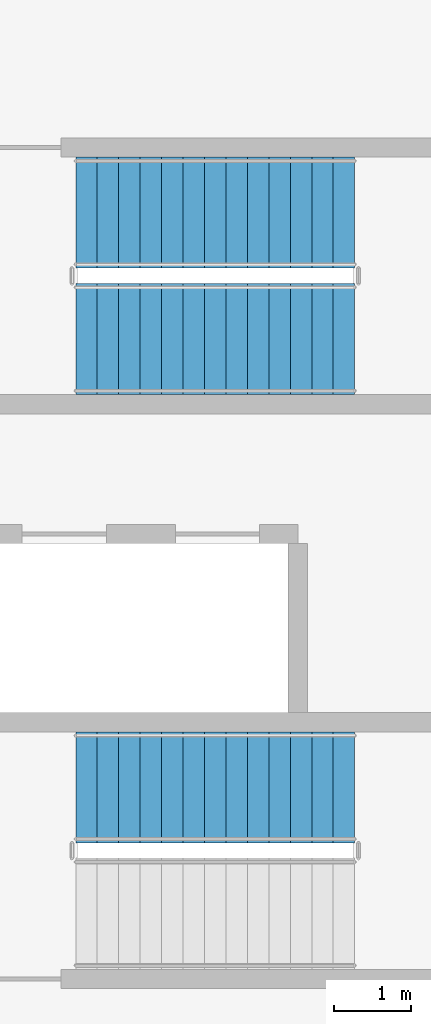
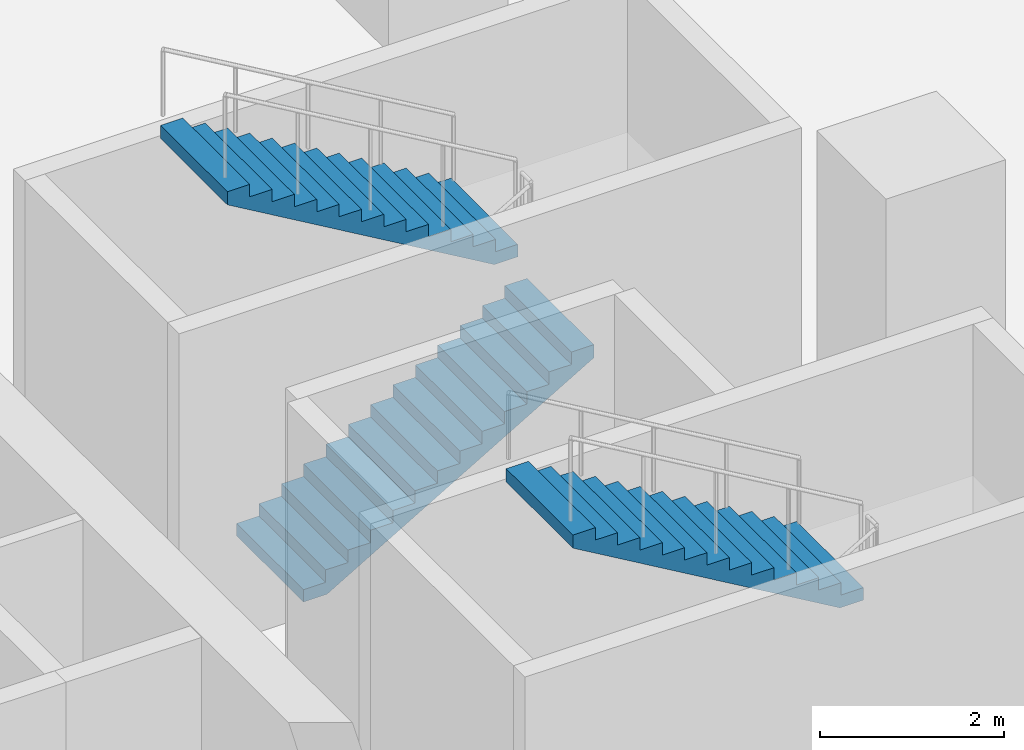
# One storey, part 7 of 11: 3 stair flights, 2 elements without a shape of their own.
"""IFC4 building model written with IfcOpenShell, lengths in metres."""

from ifc_helpers import new_model, si_unit, direction, frame, origin, place, context, subcontext, project, spatial, polyline, outline, extrude, material, type_object, element, aggregate, save


model = new_model("IFC4")

# Units and contexts
model_context = context("Model", 3, precision=1e-05, world=origin(), true_north=direction((0.0, 1.0)))
body_context = subcontext(model_context, "Body", "Model", "MODEL_VIEW")
ifc_project = project(units=[si_unit("LENGTHUNIT", "METRE"), si_unit("AREAUNIT", "SQUARE_METRE"), si_unit("VOLUMEUNIT", "CUBIC_METRE"), si_unit("PLANEANGLEUNIT", "RADIAN"), si_unit("MASSUNIT", "GRAM", prefix="KILO")], contexts=[model_context])

# Site, building, storey
site_placement = place(None, origin())
site = spatial("IfcSite", under=ifc_project, at=site_placement, CompositionType="ELEMENT")
building_placement = place(site_placement, origin())
building = spatial("IfcBuilding", under=site, at=building_placement, Name="Solnavia Interchange Tower", CompositionType="ELEMENT")
storey_placement = place(building_placement, frame((0.0, 0.0, 14.800048828125)))
storey = spatial("IfcBuildingStorey", under=building, at=storey_placement, Name="L03", CompositionType="ELEMENT", Elevation=14.800048828125)

# Stair, stair flight
ifc_material = material(Name="Concrete C40/50", Category="concrete")
stair_type = type_object("IfcStairType", Name="Stair-Dogleg-RC", PredefinedType="HALF_TURN_STAIR", material=ifc_material)
stair_1_placement = place(storey_placement, origin())
stair_1 = element("IfcStair", 1, at=stair_1_placement, inside=storey, type_object=stair_type, Name="L03 Podium exit stair 1", PredefinedType="HALF_TURN_STAIR")
stair_flight_type = type_object("IfcStairFlightType", Name="StairFlight-RC-150", PredefinedType="STRAIGHT", material=ifc_material)
stair_flight_1_placement = place(storey_placement, frame((40.090087890625, 17.97509765625, 2.300048828125), z_axis=(0.0, 0.0, 1.0), x_axis=(-1.0, 0.0, 0.0)))
stair_flight_1 = element("IfcStairFlight", 2, at=stair_flight_1_placement, type_object=stair_flight_type, Name="ST-P1 flight 2", NumberOfRisers=14, NumberOfTreads=13, PredefinedType="STRAIGHT", RiserHeight=0.164285714, TreadLength=0.28, context=body_context, shape_type="SweptSolid", body=[
    extrude(outline(polyline([(0.0, 0.0), (0.0, 0.164306640625), (0.280029296875, 0.164306640625), (0.280029296875, 0.32861328125), (0.56005859375, 0.32861328125), (0.56005859375, 0.492919921875), (0.840087890625, 0.492919921875), (0.840087890625, 0.6572265625), (1.1201171875, 0.6572265625), (1.1201171875, 0.821533203125), (1.39990234375, 0.821533203125), (1.39990234375, 0.985595703125), (1.679931640625, 0.985595703125), (1.679931640625, 1.14990234375), (1.9599609375, 1.14990234375), (1.9599609375, 1.314208984375), (2.239990234375, 1.314208984375), (2.239990234375, 1.478515625), (2.52001953125, 1.478515625), (2.52001953125, 1.642822265625), (2.800048828125, 1.642822265625), (2.800048828125, 1.80712890625), (3.080078125, 1.80712890625), (3.080078125, 1.971435546875), (3.360107421875, 1.971435546875), (3.360107421875, 2.1357421875), (3.639892578125, 2.1357421875), (3.639892578125, 2.300048828125), (3.639892578125, 1.9619140625), (0.296142578125, 0.0), (0.0, 0.0)])), frame((0.0, 0.72509765625, 0.0), z_axis=(0.0, -1.0, 0.0), x_axis=(1.0, 0.0, 0.0)), (0.0, 0.0, 1.0), 1.449951171875),
])
aggregate(stair_1, [stair_flight_1])

# Stair, stair flights
stair_2_placement = place(storey_placement, origin())
stair_2 = element("IfcStair", 3, at=stair_2_placement, inside=storey, type_object=stair_type, Name="L03 Podium exit stair 2", PredefinedType="HALF_TURN_STAIR")
stair_flight_2_placement = place(storey_placement, frame((36.449951171875, 23.824951171875, 0.0), z_axis=(0.0, 0.0, 1.0), x_axis=(1.0, 0.0, 0.0)))
stair_flight_2 = element("IfcStairFlight", 4, at=stair_flight_2_placement, type_object=stair_flight_type, Name="ST-P2 flight 1", NumberOfRisers=14, NumberOfTreads=13, PredefinedType="STRAIGHT", RiserHeight=0.164285714, TreadLength=0.28, context=body_context, shape_type="SweptSolid", body=[
    extrude(outline(polyline([(0.0, 0.0), (0.0, 0.164306640625), (0.280029296875, 0.164306640625), (0.280029296875, 0.32861328125), (0.56005859375, 0.32861328125), (0.56005859375, 0.492919921875), (0.840087890625, 0.492919921875), (0.840087890625, 0.6572265625), (1.1201171875, 0.6572265625), (1.1201171875, 0.821533203125), (1.39990234375, 0.821533203125), (1.39990234375, 0.985595703125), (1.679931640625, 0.985595703125), (1.679931640625, 1.14990234375), (1.9599609375, 1.14990234375), (1.9599609375, 1.314208984375), (2.239990234375, 1.314208984375), (2.239990234375, 1.478515625), (2.52001953125, 1.478515625), (2.52001953125, 1.642822265625), (2.800048828125, 1.642822265625), (2.800048828125, 1.80712890625), (3.080078125, 1.80712890625), (3.080078125, 1.971435546875), (3.360107421875, 1.971435546875), (3.360107421875, 2.1357421875), (3.639892578125, 2.1357421875), (3.639892578125, 2.300048828125), (3.639892578125, 1.9619140625), (0.296142578125, 0.0), (0.0, 0.0)])), frame((0.0, 0.72509765625, 0.0), z_axis=(0.0, -1.0, 0.0), x_axis=(1.0, 0.0, 0.0)), (0.0, 0.0, 1.0), 1.449951171875),
])
stair_flight_3_placement = place(storey_placement, frame((40.090087890625, 25.47509765625, 2.300048828125), z_axis=(0.0, 0.0, 1.0), x_axis=(-1.0, 0.0, 0.0)))
stair_flight_3 = element("IfcStairFlight", 5, at=stair_flight_3_placement, type_object=stair_flight_type, Name="ST-P2 flight 2", NumberOfRisers=14, NumberOfTreads=13, PredefinedType="STRAIGHT", RiserHeight=0.164285714, TreadLength=0.28, context=body_context, shape_type="SweptSolid", body=[
    extrude(outline(polyline([(0.0, 0.0), (0.0, 0.164306640625), (0.280029296875, 0.164306640625), (0.280029296875, 0.32861328125), (0.56005859375, 0.32861328125), (0.56005859375, 0.492919921875), (0.840087890625, 0.492919921875), (0.840087890625, 0.6572265625), (1.1201171875, 0.6572265625), (1.1201171875, 0.821533203125), (1.39990234375, 0.821533203125), (1.39990234375, 0.985595703125), (1.679931640625, 0.985595703125), (1.679931640625, 1.14990234375), (1.9599609375, 1.14990234375), (1.9599609375, 1.314208984375), (2.239990234375, 1.314208984375), (2.239990234375, 1.478515625), (2.52001953125, 1.478515625), (2.52001953125, 1.642822265625), (2.800048828125, 1.642822265625), (2.800048828125, 1.80712890625), (3.080078125, 1.80712890625), (3.080078125, 1.971435546875), (3.360107421875, 1.971435546875), (3.360107421875, 2.1357421875), (3.639892578125, 2.1357421875), (3.639892578125, 2.300048828125), (3.639892578125, 1.9619140625), (0.296142578125, 0.0), (0.0, 0.0)])), frame((0.0, 0.72509765625, 0.0), z_axis=(0.0, -1.0, 0.0), x_axis=(1.0, 0.0, 0.0)), (0.0, 0.0, 1.0), 1.449951171875),
])
aggregate(stair_2, [stair_flight_2, stair_flight_3])

save(model, "model.ifc")
